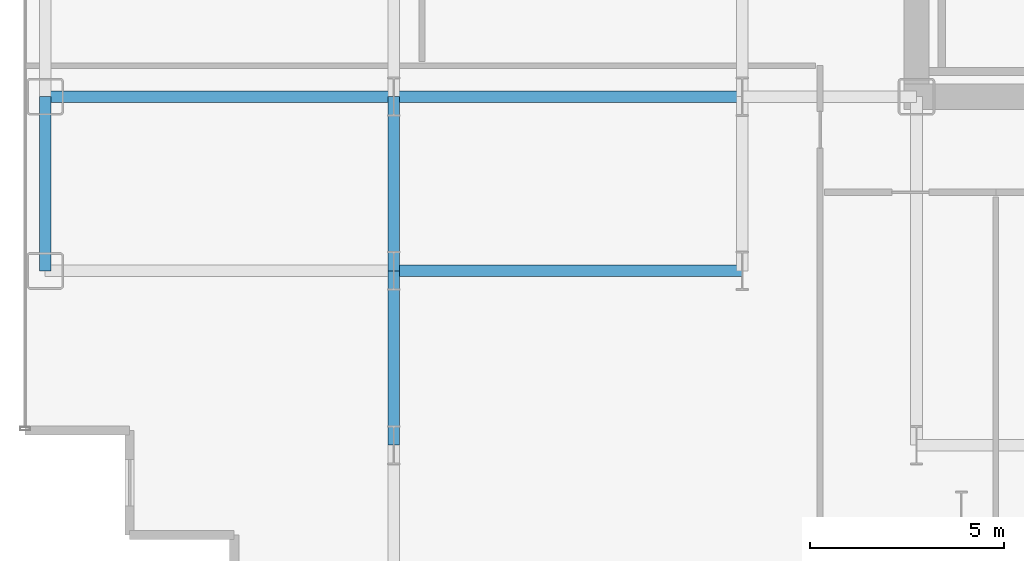
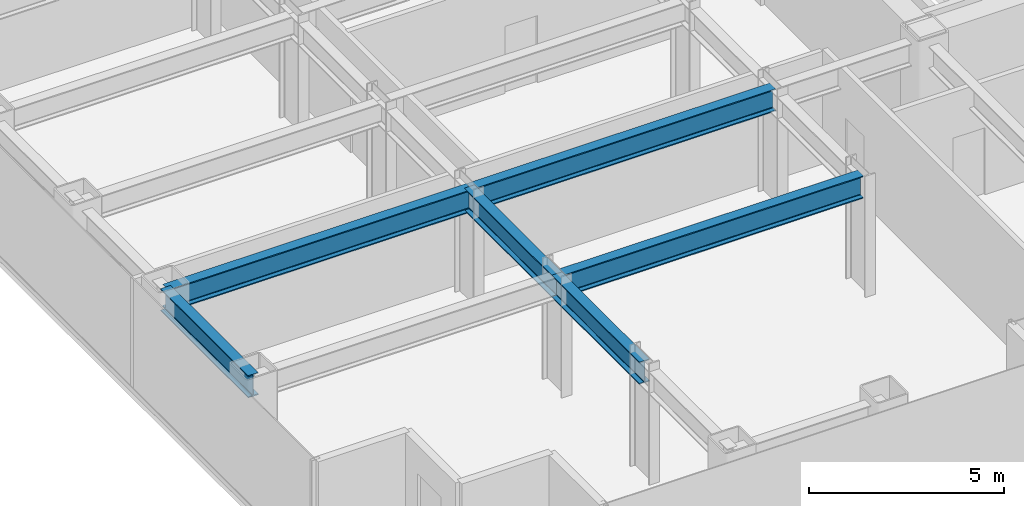
# One storey, part 3 of 26: 6 beams.
"""IFC4 building model written with IfcOpenShell, lengths in metres."""

from ifc_helpers import new_model, si_unit, direction, frame, origin, origin_2d, place, context, subcontext, project, spatial, i_section, extrude, source, transform, mapped, material, material_profile, profile_set, type_object, element, save


model = new_model("IFC4")

# Units and contexts
model_context = context("Model", 3, precision=1e-05, world=origin(), true_north=direction((0.0, 1.0)))
body_context = subcontext(model_context, "Body", "Model", "MODEL_VIEW")
ifc_project = project(units=[si_unit("LENGTHUNIT", "METRE"), si_unit("AREAUNIT", "SQUARE_METRE"), si_unit("VOLUMEUNIT", "CUBIC_METRE"), si_unit("PLANEANGLEUNIT", "RADIAN"), si_unit("MASSUNIT", "GRAM", prefix="KILO")], contexts=[model_context])

# Site, building, storey
site_placement = place(None, origin())
site = spatial("IfcSite", under=ifc_project, at=site_placement, CompositionType="ELEMENT")
building_placement = place(site_placement, origin())
building = spatial("IfcBuilding", under=site, at=building_placement, Name="Nefas-Gora Pilgrimage Tower", CompositionType="ELEMENT")
storey_placement = place(building_placement, frame((0.0, 0.0, 36.800048828125)))
storey = spatial("IfcBuildingStorey", under=building, at=storey_placement, Name="L07", CompositionType="ELEMENT", Elevation=36.800048828125)

# Beams
ifc_material = material(Name="Steel S355", Category="steel")
ifc_material_profile_1 = material_profile(ifc_material, i_section(OverallWidth=0.300048828125, OverallDepth=0.699951171875, WebThickness=0.01708984375, FlangeThickness=0.031982421875, FilletRadius=0.027099609375, at=origin_2d()), Name="HEB 700")
ifc_profile_set_1 = profile_set([ifc_material_profile_1], Name="Steel S355")
beam_type_1 = type_object("IfcBeamType", Name="BM-SPN-HEB600", PredefinedType="SPANDREL", material=ifc_profile_set_1)
shared_shape_1 = source(origin(), body_context, "Body", "SweptSolid", [
    extrude(i_section(OverallWidth=0.300048828125, OverallDepth=0.699951171875, WebThickness=0.01708984375, FlangeThickness=0.031982421875, FilletRadius=0.027099609375, at=origin_2d()), origin(), (0.0, 0.0, 1.0), 4.5),
])
beam_placement = place(storey_placement, frame((-33.75, -13.5, 3.199951171875), z_axis=(0.0, 1.0, 0.0), x_axis=(-1.0, 0.0, 0.0)))
element("IfcBeam", 1, at=beam_placement, inside=storey, type_object=beam_type_1, Name="L07 SP-01 beam", PredefinedType="SPANDREL", context=body_context, shape_type="MappedRepresentation", body=[
    mapped(shared_shape_1, transform((0.0, 0.0, 0.0), x_axis=(1.0, 0.0, 0.0), y_axis=(0.0, 1.0, 0.0), z_axis=(0.0, 0.0, 1.0), scale=1.0)),
])
ifc_material_profile_2 = material_profile(ifc_material, i_section(OverallWidth=0.300048828125, OverallDepth=0.699951171875, WebThickness=0.01708984375, FlangeThickness=0.031982421875, FilletRadius=0.027099609375, at=origin_2d()), Name="HEB 700")
ifc_profile_set_2 = profile_set([ifc_material_profile_2], Name="Steel S355")
beam_type_2 = type_object("IfcBeamType", Name="BM-GIR-HEB700", PredefinedType="BEAM", material=ifc_profile_set_2)
shared_shape_2 = source(origin(), body_context, "Body", "SweptSolid", [
    extrude(i_section(OverallWidth=0.300048828125, OverallDepth=0.699951171875, WebThickness=0.01708984375, FlangeThickness=0.031982421875, FilletRadius=0.027099609375, at=origin_2d()), origin(), (0.0, 0.0, 1.0), 9.0),
])
for number, where, z_axis, x_axis, name in (
    (2, (-33.75, -9.0, 3.199951171875), (1.0, 0.0, 0.0), (0.0, 1.0, 0.0), "L07 G-02 beam"),
    (3, (-24.75, -13.5, 3.199951171875), (1.0, 0.0, 0.0), (0.0, 1.0, 0.0), "L07 G-02 beam"),
    (4, (-24.75, -9.0, 3.199951171875), (1.0, 0.0, 0.0), (0.0, 1.0, 0.0), "L07 G-02 beam"),
):
    element("IfcBeam", number, at=place(storey_placement, frame(where, z_axis=z_axis, x_axis=x_axis)), inside=storey, type_object=beam_type_2, Name=name, PredefinedType="BEAM", context=body_context, shape_type="MappedRepresentation", body=[
        mapped(shared_shape_2, transform((0.0, 0.0, 0.0), x_axis=(1.0, 0.0, 0.0), y_axis=(0.0, 1.0, 0.0), z_axis=(0.0, 0.0, 1.0), scale=1.0)),
    ])
shared_shape_3 = source(origin(), body_context, "Body", "SweptSolid", [
    extrude(i_section(OverallWidth=0.300048828125, OverallDepth=0.699951171875, WebThickness=0.01708984375, FlangeThickness=0.031982421875, FilletRadius=0.027099609375, at=origin_2d()), origin(), (0.0, 0.0, 1.0), 4.5),
])
for number, where, z_axis, x_axis, name in (
    (5, (-24.75, -18.0, 3.199951171875), (0.0, 1.0, 0.0), (-1.0, 0.0, 0.0), "L07 G-02 beam"),
    (6, (-24.75, -13.5, 3.199951171875), (0.0, 1.0, 0.0), (-1.0, 0.0, 0.0), "L07 G-02 beam"),
):
    element("IfcBeam", number, at=place(storey_placement, frame(where, z_axis=z_axis, x_axis=x_axis)), inside=storey, type_object=beam_type_2, Name=name, PredefinedType="BEAM", context=body_context, shape_type="MappedRepresentation", body=[
        mapped(shared_shape_3, transform((0.0, 0.0, 0.0), x_axis=(1.0, 0.0, 0.0), y_axis=(0.0, 1.0, 0.0), z_axis=(0.0, 0.0, 1.0), scale=1.0)),
    ])

save(model, "model.ifc")
